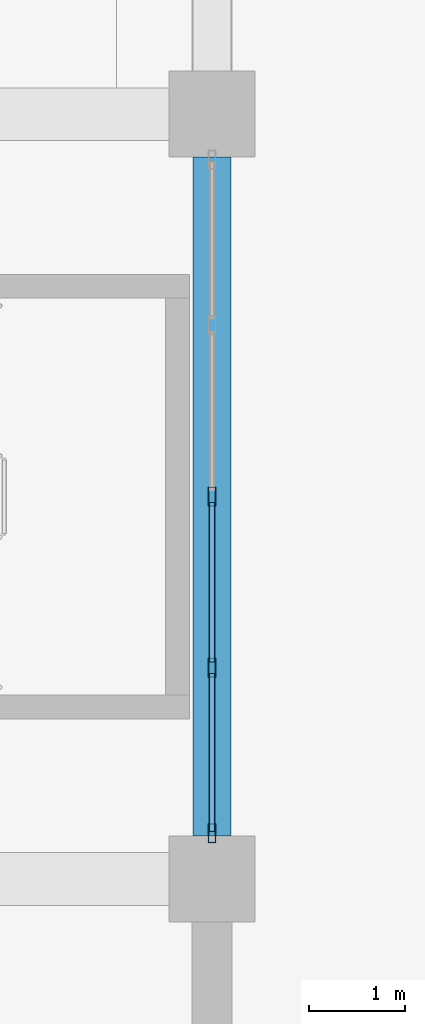
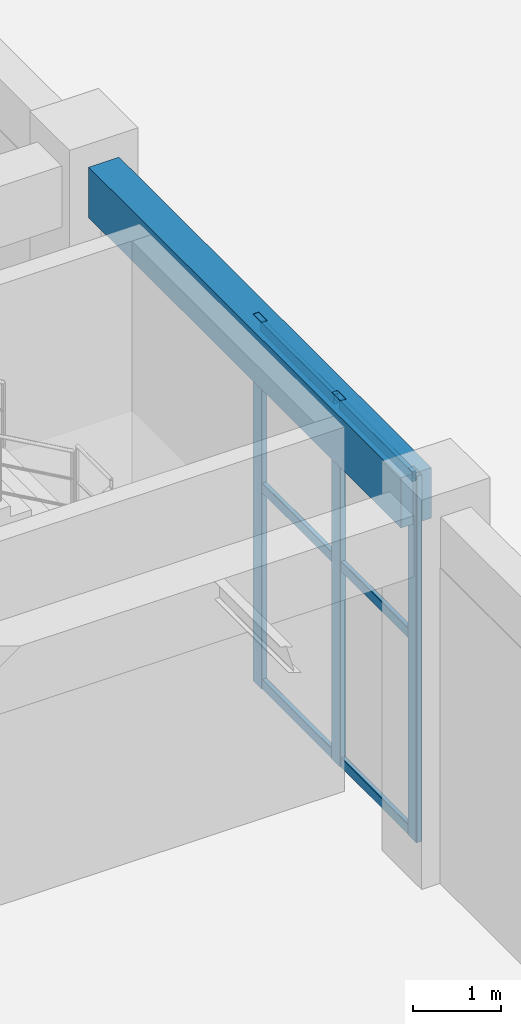
# One storey, part 27 of 121: 9 members, 1 beam, 1 element without a shape of its own.
"""IFC4 building model written with IfcOpenShell, lengths in metres."""

import ifcopenshell
import ifcopenshell.guid

model = None  # the IFC model being written
_history = None  # IfcOwnerHistory: only IFC2X3 demands one
_inside = {}  # id of a spatial element -> (the spatial element, [elements in it])
_under = {}  # id of a project, library or spatial element -> (it, [spatial elements below it])
_declared = {}  # id of a project -> (the project, [libraries it declares])
_typed = {}  # id of a type object -> (the type object, [elements of that type])
_made_of = {}  # id of a material, layer set ... -> (it, [elements and type objects made of it])


def new_model(schema):
    """Start an empty IFC model of exactly this schema.

    Asked for "IFC4X3", IfcOpenShell would pick the latest addendum, in which some entities
    have other attributes; the version numbers below select the first issue.
    IFC2X3 requires an IfcOwnerHistory on every rooted entity: one is made here for all.
    """
    global model, _history
    if schema == "IFC4X3":
        model = ifcopenshell.file(schema_version=(4, 3, 0, 0))
    else:
        model = ifcopenshell.file(schema=schema)
    _inside.clear()
    _under.clear()
    _declared.clear()
    _typed.clear()
    _made_of.clear()
    _history = None
    if model.schema == "IFC2X3":
        org = make("IfcOrganization", Name="unknown")
        user = make(
            "IfcPersonAndOrganization",
            ThePerson=make("IfcPerson", FamilyName="unknown"),
            TheOrganization=org,
        )
        app = make(
            "IfcApplication",
            ApplicationDeveloper=org,
            Version="unknown",
            ApplicationFullName="unknown",
            ApplicationIdentifier="unknown",
        )
        _history = make(
            "IfcOwnerHistory",
            OwningUser=user,
            OwningApplication=app,
            ChangeAction="ADDED",
            CreationDate=0,
        )
    return model


def make(cls, **values):
    """One entity of the class cls with the attributes given. An attribute that is None is left unset."""
    return model.create_entity(
        cls, **{name: value for name, value in values.items() if value is not None}
    )


def rooted(cls, **values):
    """An entity with a GlobalId (a new one), such as an element, a storey or a relation."""
    return make(cls, GlobalId=ifcopenshell.guid.new(), OwnerHistory=_history, **values)


def si_unit(unit_type, name, prefix=None):
    """IfcSIUnit, for example si_unit("LENGTHUNIT", "METRE", prefix="MILLI")."""
    return make("IfcSIUnit", UnitType=unit_type, Prefix=prefix, Name=name)


def derived_unit(unit_type, elements):
    """IfcDerivedUnit: a product of units, each with its exponent."""
    return make(
        "IfcDerivedUnit",
        Elements=[
            make("IfcDerivedUnitElement", Unit=unit, Exponent=power)
            for unit, power in elements
        ],
        UnitType=unit_type,
    )


def assignment(units):
    """IfcUnitAssignment: the units of a project."""
    return None if units is None else make("IfcUnitAssignment", Units=units)


def point(xyz):
    """IfcCartesianPoint."""
    return None if xyz is None else make("IfcCartesianPoint", Coordinates=xyz)


def direction(xyz):
    """IfcDirection."""
    return None if xyz is None else make("IfcDirection", DirectionRatios=xyz)


def frame(location, z_axis=None, x_axis=None):
    """IfcAxis2Placement3D, a coordinate frame: its origin and axes. An axis left out is left unset."""
    return make(
        "IfcAxis2Placement3D",
        Location=point(location),
        Axis=direction(z_axis),
        RefDirection=direction(x_axis),
    )


def frame_2d(location, x_axis=None):
    """IfcAxis2Placement2D, a coordinate frame in the plane: its origin and x axis."""
    return make(
        "IfcAxis2Placement2D", Location=point(location), RefDirection=direction(x_axis)
    )


def origin():
    """The frame at (0, 0, 0) with its axes left unset."""
    return frame((0.0, 0.0, 0.0))


def origin_2d():
    """The frame at (0, 0) in the plane with its x axis left unset."""
    return frame_2d((0.0, 0.0))


def place(relative_to, where):
    """IfcLocalPlacement: puts the frame where relative to a parent placement (None: the world)."""
    return make(
        "IfcLocalPlacement", PlacementRelTo=relative_to, RelativePlacement=where
    )


def context(
    kind, dimensions, precision=None, world=None, true_north=None, identifier=None
):
    """IfcGeometricRepresentationContext, for example the 3D "Model" context."""
    return make(
        "IfcGeometricRepresentationContext",
        ContextIdentifier=identifier,
        ContextType=kind,
        CoordinateSpaceDimension=dimensions,
        Precision=precision,
        WorldCoordinateSystem=world,
        TrueNorth=true_north,
    )


def subcontext(parent, identifier, kind, view, scale=None):
    """IfcGeometricRepresentationSubContext, for example "Body" below "Model"."""
    return make(
        "IfcGeometricRepresentationSubContext",
        ContextIdentifier=identifier,
        ContextType=kind,
        ParentContext=parent,
        TargetScale=scale,
        TargetView=view,
    )


def project(units=None, contexts=None):
    """IfcProject with its units and contexts."""
    return rooted(
        "IfcProject",
        Name="project",
        RepresentationContexts=contexts,
        UnitsInContext=assignment(units),
    )


def spatial(cls, under=None, at=None, **own):
    """A site, building, storey or space (cls), placed at a placement, below another one or the project."""
    s = rooted(cls, ObjectPlacement=at, **own)
    if under is not None:
        _under.setdefault(under.id(), (under, []))[1].append(s)
    return s


def profile(cls, at=None, kind="AREA", **sizes):
    """A parametric profile (cls). Its sizes go by their IFC names, for example OverallWidth=200.0."""
    return make(cls, ProfileType=kind, Position=at, **sizes)


def rectangle(**sizes):
    """IfcRectangleProfileDef."""
    return profile("IfcRectangleProfileDef", **sizes)


def hollow_rectangle(**sizes):
    """IfcRectangleHollowProfileDef."""
    return profile("IfcRectangleHollowProfileDef", **sizes)


def extrude(swept, where, along, depth):
    """IfcExtrudedAreaSolid: the profile swept, set in the frame where, extruded along a direction by depth."""
    return make(
        "IfcExtrudedAreaSolid",
        SweptArea=swept,
        Position=where,
        ExtrudedDirection=direction(along),
        Depth=depth,
    )


def shape(context_of_items, identifier, shape_type, items):
    """IfcShapeRepresentation: the items that make up one representation, for example the "Body"."""
    return make(
        "IfcShapeRepresentation",
        ContextOfItems=context_of_items,
        RepresentationIdentifier=identifier,
        RepresentationType=shape_type,
        Items=items,
    )


def material(Name=None, Category=None):
    """IfcMaterial."""
    return make("IfcMaterial", Name=Name, Category=Category)


def material_profile(
    of_material, cross_section, Name=None, Category=None, Priority=None
):
    """IfcMaterialProfile: a cross section and its material."""
    return make(
        "IfcMaterialProfile",
        Name=Name,
        Material=of_material,
        Profile=cross_section,
        Priority=Priority,
        Category=Category,
    )


def profile_set(profiles, Name=None, composite=None):
    """IfcMaterialProfileSet."""
    return make(
        "IfcMaterialProfileSet",
        Name=Name,
        MaterialProfiles=profiles,
        CompositeProfile=composite,
    )


def made_of(thing, what):
    """Note that an element or type object is made of a material, layer set ...; save() writes the relation."""
    if what is not None:
        _made_of.setdefault(what.id(), (what, []))[1].append(thing)
    return thing


def type_object(cls, material=None, **own):
    """A type object (cls), such as IfcWallType, which elements share."""
    return made_of(rooted(cls, **own), material)


def element(
    cls,
    number,
    at=None,
    inside=None,
    cuts=None,
    type_object=None,
    material=None,
    context=None,
    identifier="Body",
    shape_type=None,
    held_by="IfcProductDefinitionShape",
    body=None,
    shapes=None,
    **own,
):
    """One element of the class cls, such as IfcWall. Its Tag is "e" and its number.

    at: its placement. inside: the storey or other place that contains it. cuts: it is an
    opening in that element (IfcRelVoidsElement). A single representation is given by context,
    identifier, shape_type and body (its items); several are given by shapes. held_by: the class
    of the entity that holds the representations. save() writes the other relations.
    """
    e = rooted(cls, Tag="e%d" % number, ObjectPlacement=at, **own)
    if body is not None:
        shapes = [shape(context, identifier, shape_type, body)]
    if shapes is not None:
        e.Representation = make(held_by, Representations=shapes)
    if inside is not None:
        _inside.setdefault(inside.id(), (inside, []))[1].append(e)
    if cuts is not None:
        rooted(
            "IfcRelVoidsElement", RelatingBuildingElement=cuts, RelatedOpeningElement=e
        )
    if type_object is not None:
        _typed.setdefault(type_object.id(), (type_object, []))[1].append(e)
    return made_of(e, material)


def aggregate(whole, parts):
    """IfcRelAggregates: a whole, such as a stair, and the parts it consists of."""
    return rooted("IfcRelAggregates", RelatingObject=whole, RelatedObjects=parts)


def save(model, path):
    """Write the relations noted so far, then the file.

    IfcRelAggregates (storeys below a building ...), IfcRelContainedInSpatialStructure (elements
    in a storey), IfcRelDefinesByType, IfcRelAssociatesMaterial and IfcRelDeclares: one each for
    every whole, place, type object, material and project.
    """
    for whole, parts in _under.values():
        aggregate(whole, parts)
    for where, things in _inside.values():
        rooted(
            "IfcRelContainedInSpatialStructure",
            RelatedElements=things,
            RelatingStructure=where,
        )
    for kind, things in _typed.values():
        rooted("IfcRelDefinesByType", RelatedObjects=things, RelatingType=kind)
    for what, things in _made_of.values():
        rooted("IfcRelAssociatesMaterial", RelatedObjects=things, RelatingMaterial=what)
    for by, libraries in _declared.values():
        rooted("IfcRelDeclares", RelatingContext=by, RelatedDefinitions=libraries)
    model.write(path)


model = new_model("IFC4")

# Units and contexts
model_context = context("Model", 3, precision=1e-05, world=origin(), true_north=direction((0.0, 1.0)))
body_context = subcontext(model_context, "Body", "Model", "MODEL_VIEW")
ifc_project = project(units=[si_unit("LENGTHUNIT", "METRE"), si_unit("AREAUNIT", "SQUARE_METRE"), si_unit("VOLUMEUNIT", "CUBIC_METRE"), si_unit("PLANEANGLEUNIT", "RADIAN"), si_unit("MASSUNIT", "GRAM", prefix="KILO"), derived_unit("THERMALTRANSMITTANCEUNIT", [(si_unit("MASSUNIT", "GRAM", prefix="KILO"), 1), (si_unit("TIMEUNIT", "SECOND"), -3), (si_unit("THERMODYNAMICTEMPERATUREUNIT", "KELVIN"), -1)])], contexts=[model_context])

# Site, building, storey
site_placement = place(None, origin())
site = spatial("IfcSite", under=ifc_project, at=site_placement, CompositionType="ELEMENT")
building_placement = place(site_placement, origin())
building = spatial("IfcBuilding", under=site, at=building_placement, Name="Zhenchuan Archway Interchange", CompositionType="ELEMENT")
storey_placement = place(building_placement, origin())
storey = spatial("IfcBuildingStorey", under=building, at=storey_placement, Name="L00", CompositionType="ELEMENT", Elevation=0.0)

# Curtain wall, members
ifc_material_1 = material(Name="Anodised Aluminium", Category="aluminium")
curtain_wall_type = type_object("IfcCurtainWallType", Name="CW_UNIT_3", PredefinedType="NOTDEFINED", material=ifc_material_1)
curtain_wall_placement = place(storey_placement, origin())
curtain_wall = element("IfcCurtainWall", 1, at=curtain_wall_placement, inside=storey, type_object=curtain_wall_type, Name="Unitised curtain wall CW:L00:026", PredefinedType="NOTDEFINED")
ifc_material_profile_1 = material_profile(ifc_material_1, hollow_rectangle(XDim=0.080078125, YDim=0.199951171875, WallThickness=0.00439453125, InnerFilletRadius=0.00439453125, OuterFilletRadius=0.009033203125, at=origin_2d()), Name="ALU 200x80x4.5")
ifc_profile_set_1 = profile_set([ifc_material_profile_1], Name="Anodised Aluminium")
member_type_1 = type_object("IfcMemberType", Name="CW_MUL_200", PredefinedType="MULLION", material=ifc_profile_set_1)
member_1_placement = place(storey_placement, frame((108.0, 44.0, 0.0), z_axis=(0.0, 0.0, 1.0), x_axis=(1.0, 0.0, 0.0)))
member_1 = element("IfcMember", 2, at=member_1_placement, type_object=member_type_1, Name="CW:L00:026 mullion 2", PredefinedType="MULLION", context=body_context, shape_type="SweptSolid", body=[
    extrude(hollow_rectangle(XDim=0.080078125, YDim=0.199951171875, WallThickness=0.00439453125, InnerFilletRadius=0.00439453125, OuterFilletRadius=0.009033203125, at=origin_2d()), origin(), (0.0, 0.0, 1.0), 5.080078125),
])
member_2_placement = place(storey_placement, frame((108.0, 42.208984375, 0.0), z_axis=(0.0, 0.0, 1.0), x_axis=(1.0, 0.0, 0.0)))
member_2 = element("IfcMember", 3, at=member_2_placement, type_object=member_type_1, Name="CW:L00:026 mullion 3", PredefinedType="MULLION", context=body_context, shape_type="SweptSolid", body=[
    extrude(hollow_rectangle(XDim=0.080078125, YDim=0.199951171875, WallThickness=0.00439453125, InnerFilletRadius=0.00439453125, OuterFilletRadius=0.009033203125, at=origin_2d()), origin(), (0.0, 0.0, 1.0), 5.080078125),
])
member_3_placement = place(storey_placement, frame((108.0, 40.47802734375, 0.0), z_axis=(0.0, 0.0, 1.0), x_axis=(1.0, 0.0, 0.0)))
member_3 = element("IfcMember", 4, at=member_3_placement, type_object=member_type_1, Name="CW:L00:026 mullion 4", PredefinedType="MULLION", context=body_context, shape_type="SweptSolid", body=[
    extrude(hollow_rectangle(XDim=0.080078125, YDim=0.199951171875, WallThickness=0.00439453125, InnerFilletRadius=0.00439453125, OuterFilletRadius=0.009033203125, at=origin_2d()), origin(), (0.0, 0.0, 1.0), 5.080078125),
])
ifc_material_profile_2 = material_profile(ifc_material_1, hollow_rectangle(XDim=0.06005859375, YDim=0.139892578125, WallThickness=0.00341796875, InnerFilletRadius=0.00341796875, OuterFilletRadius=0.007080078125, at=origin_2d()), Name="ALU 140x60x3.5")
ifc_profile_set_2 = profile_set([ifc_material_profile_2], Name="Anodised Aluminium")
member_type_2 = type_object("IfcMemberType", Name="CW_TRN_140", PredefinedType="USERDEFINED", material=ifc_profile_set_2)
member_4_placement = place(storey_placement, frame((108.0, 43.93994140625, 0.06005859375), z_axis=(0.0, -1.0, 0.0), x_axis=(1.0, 0.0, 0.0)))
member_4 = element("IfcMember", 5, at=member_4_placement, type_object=member_type_2, Name="CW:L00:026 transom 2-1", ObjectType="TRANSOM", PredefinedType="USERDEFINED", context=body_context, shape_type="SweptSolid", body=[
    extrude(hollow_rectangle(XDim=0.06005859375, YDim=0.139892578125, WallThickness=0.00341796875, InnerFilletRadius=0.00341796875, OuterFilletRadius=0.007080078125, at=origin_2d()), origin(), (0.0, 0.0, 1.0), 1.6708984375),
])
member_5_placement = place(storey_placement, frame((108.0, 43.93994140625, 2.782958984375), z_axis=(0.0, -1.0, 0.0), x_axis=(1.0, 0.0, 0.0)))
member_5 = element("IfcMember", 6, at=member_5_placement, type_object=member_type_2, Name="CW:L00:026 transom 2-2", ObjectType="TRANSOM", PredefinedType="USERDEFINED", context=body_context, shape_type="SweptSolid", body=[
    extrude(hollow_rectangle(XDim=0.06005859375, YDim=0.139892578125, WallThickness=0.00341796875, InnerFilletRadius=0.00341796875, OuterFilletRadius=0.007080078125, at=origin_2d()), origin(), (0.0, 0.0, 1.0), 1.6708984375),
])
member_6_placement = place(storey_placement, frame((108.0, 43.93994140625, 5.0), z_axis=(0.0, -1.0, 0.0), x_axis=(1.0, 0.0, 0.0)))
member_6 = element("IfcMember", 7, at=member_6_placement, type_object=member_type_2, Name="CW:L00:026 transom 2-3", ObjectType="TRANSOM", PredefinedType="USERDEFINED", context=body_context, shape_type="SweptSolid", body=[
    extrude(hollow_rectangle(XDim=0.06005859375, YDim=0.139892578125, WallThickness=0.00341796875, InnerFilletRadius=0.00341796875, OuterFilletRadius=0.007080078125, at=origin_2d()), origin(), (0.0, 0.0, 1.0), 1.6708984375),
])
member_7_placement = place(storey_placement, frame((108.0, 42.14892578125, 0.06005859375), z_axis=(0.0, -1.0, 0.0), x_axis=(1.0, 0.0, 0.0)))
member_7 = element("IfcMember", 8, at=member_7_placement, type_object=member_type_2, Name="CW:L00:026 transom 3-1", ObjectType="TRANSOM", PredefinedType="USERDEFINED", context=body_context, shape_type="SweptSolid", body=[
    extrude(hollow_rectangle(XDim=0.06005859375, YDim=0.139892578125, WallThickness=0.00341796875, InnerFilletRadius=0.00341796875, OuterFilletRadius=0.007080078125, at=origin_2d()), origin(), (0.0, 0.0, 1.0), 1.65087890625),
])
member_8_placement = place(storey_placement, frame((108.0, 42.14892578125, 2.782958984375), z_axis=(0.0, -1.0, 0.0), x_axis=(1.0, 0.0, 0.0)))
member_8 = element("IfcMember", 9, at=member_8_placement, type_object=member_type_2, Name="CW:L00:026 transom 3-2", ObjectType="TRANSOM", PredefinedType="USERDEFINED", context=body_context, shape_type="SweptSolid", body=[
    extrude(hollow_rectangle(XDim=0.06005859375, YDim=0.139892578125, WallThickness=0.00341796875, InnerFilletRadius=0.00341796875, OuterFilletRadius=0.007080078125, at=origin_2d()), origin(), (0.0, 0.0, 1.0), 1.65087890625),
])
member_9_placement = place(storey_placement, frame((108.0, 42.14892578125, 5.0), z_axis=(0.0, -1.0, 0.0), x_axis=(1.0, 0.0, 0.0)))
member_9 = element("IfcMember", 10, at=member_9_placement, type_object=member_type_2, Name="CW:L00:026 transom 3-3", ObjectType="TRANSOM", PredefinedType="USERDEFINED", context=body_context, shape_type="SweptSolid", body=[
    extrude(hollow_rectangle(XDim=0.06005859375, YDim=0.139892578125, WallThickness=0.00341796875, InnerFilletRadius=0.00341796875, OuterFilletRadius=0.007080078125, at=origin_2d()), origin(), (0.0, 0.0, 1.0), 1.65087890625),
])
aggregate(curtain_wall, [member_1, member_2, member_3, member_4, member_5, member_6, member_7, member_8, member_9])

# Beam
ifc_material_2 = material(Name="Concrete C40", Category="concrete")
ifc_material_profile_3 = material_profile(ifc_material_2, rectangle(XDim=0.39990234375, YDim=0.699951171875, at=origin_2d()), Name="RC 400x700")
ifc_profile_set_3 = profile_set([ifc_material_profile_3], Name="Concrete C40")
beam_type = type_object("IfcBeamType", Name="SP_RC_400x700", PredefinedType="SPANDREL", material=ifc_profile_set_3)
beam_placement = place(storey_placement, frame((108.0, 40.449951171875, 4.72998046875), z_axis=(0.0, 1.0, 0.0), x_axis=(-1.0, 0.0, 0.0)))
element("IfcBeam", 11, at=beam_placement, inside=storey, type_object=beam_type, Name="Beam 13:F-G (L00)", PredefinedType="SPANDREL", context=body_context, shape_type="SweptSolid", body=[
    extrude(rectangle(XDim=0.39990234375, YDim=0.699951171875, at=origin_2d()), origin(), (0.0, 0.0, 1.0), 7.10009765625),
])

save(model, "model.ifc")
